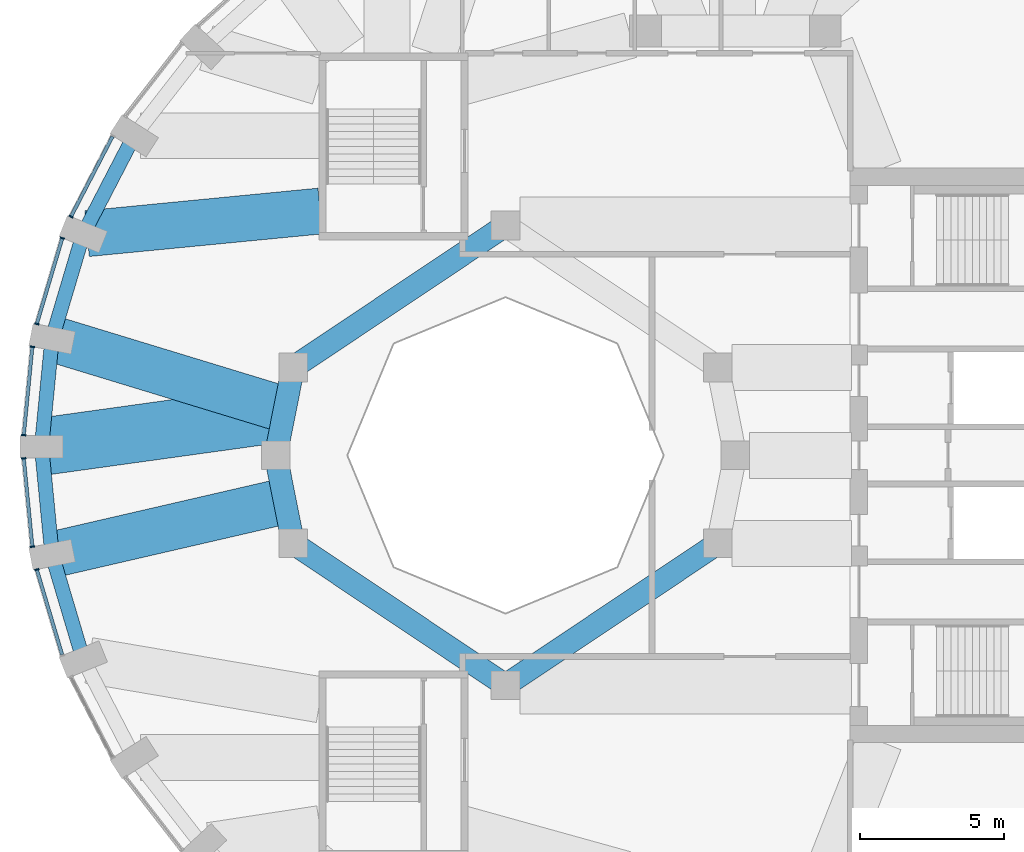
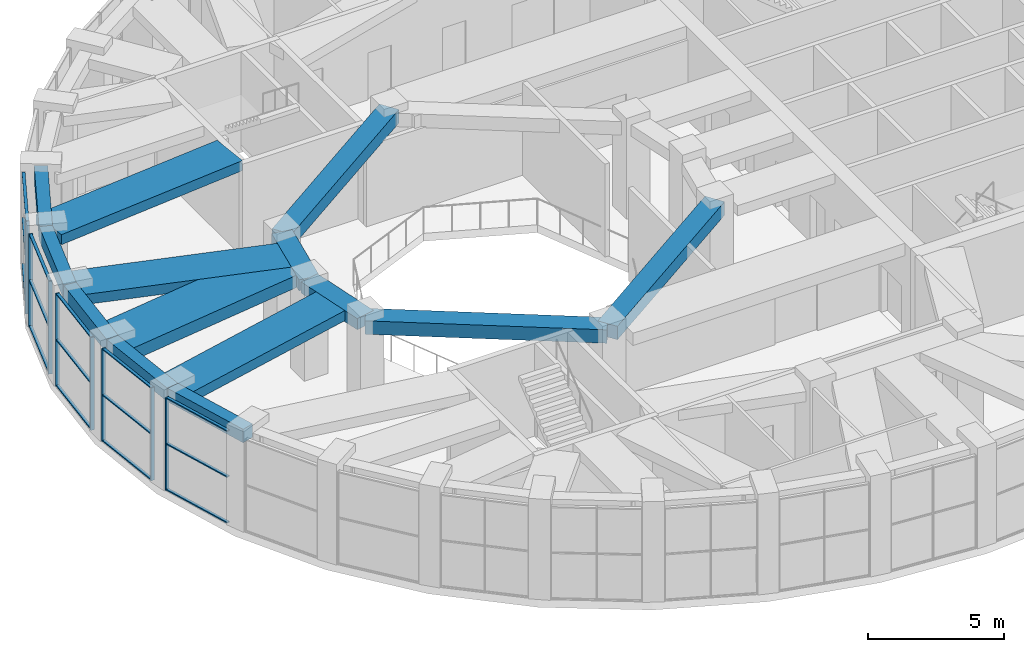
# One storey, part 4 of 17: 23 members, 14 beams, 5 elements without a shape of their own.
"""IFC4 building model written with IfcOpenShell, lengths in metres."""

from ifc_helpers import new_model, si_unit, direction, frame, origin, origin_2d, place, context, subcontext, project, spatial, rectangle, extrude, material, material_profile, profile_set, type_object, element, aggregate, save


model = new_model("IFC4")

# Units and contexts
model_context = context("Model", 3, precision=1e-05, world=origin(), true_north=direction((0.0, 1.0)))
body_context = subcontext(model_context, "Body", "Model", "MODEL_VIEW")
ifc_project = project(units=[si_unit("LENGTHUNIT", "METRE"), si_unit("AREAUNIT", "SQUARE_METRE"), si_unit("VOLUMEUNIT", "CUBIC_METRE"), si_unit("PLANEANGLEUNIT", "RADIAN"), si_unit("MASSUNIT", "GRAM", prefix="KILO")], contexts=[model_context])

# Site, building, storey
site_placement = place(None, origin())
site = spatial("IfcSite", under=ifc_project, at=site_placement, CompositionType="ELEMENT")
building_placement = place(site_placement, origin())
building = spatial("IfcBuilding", under=site, at=building_placement, Name="Taillehof Tower", CompositionType="ELEMENT")
storey_placement = place(building_placement, frame((0.0, 0.0, 259.699951171875)))
storey = spatial("IfcBuildingStorey", under=building, at=storey_placement, Name="L74", CompositionType="ELEMENT", Elevation=259.699951171875)

# Beams
ifc_material_1 = material(Name="Concrete C50/60", Category="concrete")
ifc_material_profile_1 = material_profile(ifc_material_1, rectangle(XDim=0.800048828125, YDim=0.5, at=origin_2d()), Name="RC 800x500")
ifc_profile_set_1 = profile_set([ifc_material_profile_1], Name="Concrete C50/60")
beam_type_1 = type_object("IfcBeamType", Name="Atrium ring beam C50/60 800x500", PredefinedType="BEAM", material=ifc_profile_set_1)
for number, where, z_axis, x_axis, name in (
    (1, (-15.39111328125, 3.0615234375, 3.900146484375), (-0.195063155143, -0.980790683839, 0.0), (0.980790683839, -0.195063155143, 0.0), "Atrium ring beam AB04"),
    (2, (-16.0, 0.0, 3.900146484375), (0.195063155143, -0.980790683839, 0.0), (0.980790683839, 0.195063155143, 0.0), "Atrium ring beam AB05"),
):
    element("IfcBeam", number, at=place(storey_placement, frame(where, z_axis=z_axis, x_axis=x_axis)), inside=storey, type_object=beam_type_1, Name=name, PredefinedType="BEAM", context=body_context, shape_type="SweptSolid", body=[
        extrude(rectangle(XDim=0.800048828125, YDim=0.5, at=origin_2d()), origin(), (0.0, 0.0, 1.0), 3.12158203125),
    ])
ifc_material_2 = material(Name="Concrete C50/60", Category="concrete")
ifc_material_profile_2 = material_profile(ifc_material_2, rectangle(XDim=0.800048828125, YDim=0.60009765625, at=origin_2d()), Name="RC 800x600")
ifc_profile_set_2 = profile_set([ifc_material_profile_2], Name="Concrete C50/60")
beam_type_2 = type_object("IfcBeamType", Name="Atrium ring beam C50/60 800x600", PredefinedType="BEAM", material=ifc_profile_set_2)
for number, where, z_axis, x_axis, name in (
    (3, (-8.0, 8.0, 3.85009765625), (-0.831475195687, -0.555561876804, 0.0), (0.555561876804, -0.831475195687, 0.0), "Atrium ring beam AB03"),
    (4, (-15.39111328125, -3.0615234375, 3.85009765625), (0.831475195687, -0.555561876804, 0.0), (0.555561876804, 0.831475195687, 0.0), "Atrium ring beam AB06"),
    (5, (-8.0, -8.0, 3.85009765625), (0.831475195687, 0.555561876804, 0.0), (-0.555561876804, 0.831475195687, 0.0), "Atrium ring beam AB07"),
):
    element("IfcBeam", number, at=place(storey_placement, frame(where, z_axis=z_axis, x_axis=x_axis)), inside=storey, type_object=beam_type_2, Name=name, PredefinedType="BEAM", context=body_context, shape_type="SweptSolid", body=[
        extrude(rectangle(XDim=0.800048828125, YDim=0.60009765625, at=origin_2d()), origin(), (0.0, 0.0, 1.0), 8.88916015625),
    ])

# Curtain wall, member
ifc_material_3 = material(Name="Aluminium curtain wall with Clear low-emissivity double glazing", Category="aluminium")
curtain_wall_type = type_object("IfcCurtainWallType", Name="Club lounge curtain wall", PredefinedType="USERDEFINED", material=ifc_material_3)
curtain_wall_1_placement = place(storey_placement, origin())
curtain_wall_1 = element("IfcCurtainWall", 6, at=curtain_wall_1_placement, inside=storey, type_object=curtain_wall_type, Name="Club lounge L74 bay 16", ObjectType="WINDOW WALL", PredefinedType="USERDEFINED")
ifc_material_4 = material(Name="Aluminium mullion", Category="aluminium")
ifc_material_profile_3 = material_profile(ifc_material_4, rectangle(XDim=0.159912109375, YDim=0.050048828125, at=origin_2d()), Name="AL 50x160")
ifc_profile_set_3 = profile_set([ifc_material_profile_3], Name="Aluminium mullion")
member_type_1 = type_object("IfcMemberType", Name="Club lounge mullion 50x160", PredefinedType="MULLION", material=ifc_profile_set_3)
member_1_placement = place(storey_placement, frame((-23.124267578125, 8.3125, 0.0), z_axis=(0.0, 0.0, 1.0), x_axis=(0.887975262702, -0.459891218474, 0.0)))
member_1 = element("IfcMember", 7, at=member_1_placement, type_object=member_type_1, Name="CT4E16 mullion 2", PredefinedType="MULLION", context=body_context, shape_type="SweptSolid", body=[
    extrude(rectangle(XDim=0.159912109375, YDim=0.050048828125, at=origin_2d()), origin(), (0.0, 0.0, 1.0), 4.150146484375),
])

# Curtain wall, members
curtain_wall_2_placement = place(storey_placement, origin())
curtain_wall_2 = element("IfcCurtainWall", 8, at=curtain_wall_2_placement, inside=storey, type_object=curtain_wall_type, Name="Club lounge L74 bay 17", ObjectType="WINDOW WALL", PredefinedType="USERDEFINED")
member_2_placement = place(storey_placement, frame((-23.427490234375, 7.5615234375, 0.0), z_axis=(0.0, 0.0, 1.0), x_axis=(0.958457446134, -0.285235558707, 0.0)))
member_2 = element("IfcMember", 9, at=member_2_placement, type_object=member_type_1, Name="CT4E17 mullion 1", PredefinedType="MULLION", context=body_context, shape_type="SweptSolid", body=[
    extrude(rectangle(XDim=0.159912109375, YDim=0.050048828125, at=origin_2d()), origin(), (0.0, 0.0, 1.0), 4.150146484375),
])
member_3_placement = place(storey_placement, frame((-24.31591796875, 4.575927734375, 0.0), z_axis=(0.0, 0.0, 1.0), x_axis=(0.958457446134, -0.285235558707, 0.0)))
member_3 = element("IfcMember", 10, at=member_3_placement, type_object=member_type_1, Name="CT4E17 mullion 2", PredefinedType="MULLION", context=body_context, shape_type="SweptSolid", body=[
    extrude(rectangle(XDim=0.159912109375, YDim=0.050048828125, at=origin_2d()), origin(), (0.0, 0.0, 1.0), 4.150146484375),
])

curtain_wall_3_placement = place(storey_placement, origin())
curtain_wall_3 = element("IfcCurtainWall", 11, at=curtain_wall_3_placement, inside=storey, type_object=curtain_wall_type, Name="Club lounge L74 bay 18", ObjectType="WINDOW WALL", PredefinedType="USERDEFINED")
member_4_placement = place(storey_placement, frame((-24.471435546875, 3.781005859375, 0.0), z_axis=(0.0, 0.0, 1.0), x_axis=(0.995312250248, -0.0967136211, 0.0)))
member_4 = element("IfcMember", 12, at=member_4_placement, type_object=member_type_1, Name="CT4E18 mullion 1", PredefinedType="MULLION", context=body_context, shape_type="SweptSolid", body=[
    extrude(rectangle(XDim=0.159912109375, YDim=0.050048828125, at=origin_2d()), origin(), (0.0, 0.0, 1.0), 4.150146484375),
])
member_5_placement = place(storey_placement, frame((-24.770263671875, 0.705078125, 0.0), z_axis=(0.0, 0.0, 1.0), x_axis=(0.995312250248, -0.0967136211, 0.0)))
member_5 = element("IfcMember", 13, at=member_5_placement, type_object=member_type_1, Name="CT4E18 mullion 2", PredefinedType="MULLION", context=body_context, shape_type="SweptSolid", body=[
    extrude(rectangle(XDim=0.159912109375, YDim=0.050048828125, at=origin_2d()), origin(), (0.0, 0.0, 1.0), 4.150146484375),
])

curtain_wall_4_placement = place(storey_placement, origin())
curtain_wall_4 = element("IfcCurtainWall", 14, at=curtain_wall_4_placement, inside=storey, type_object=curtain_wall_type, Name="Club lounge L74 bay 19", ObjectType="WINDOW WALL", PredefinedType="USERDEFINED")
member_6_placement = place(storey_placement, frame((-24.770263671875, -0.10498046875, 0.0), z_axis=(0.0, 0.0, 1.0), x_axis=(0.995312250248, 0.0967136211, 0.0)))
member_6 = element("IfcMember", 15, at=member_6_placement, type_object=member_type_1, Name="CT4E19 mullion 1", PredefinedType="MULLION", context=body_context, shape_type="SweptSolid", body=[
    extrude(rectangle(XDim=0.159912109375, YDim=0.050048828125, at=origin_2d()), origin(), (0.0, 0.0, 1.0), 4.150146484375),
])
member_7_placement = place(storey_placement, frame((-24.471435546875, -3.180908203125, 0.0), z_axis=(0.0, 0.0, 1.0), x_axis=(0.995312250248, 0.0967136211, 0.0)))
member_7 = element("IfcMember", 16, at=member_7_placement, type_object=member_type_1, Name="CT4E19 mullion 2", PredefinedType="MULLION", context=body_context, shape_type="SweptSolid", body=[
    extrude(rectangle(XDim=0.159912109375, YDim=0.050048828125, at=origin_2d()), origin(), (0.0, 0.0, 1.0), 4.150146484375),
])

# Curtain wall, member
curtain_wall_5_placement = place(storey_placement, origin())
curtain_wall_5 = element("IfcCurtainWall", 17, at=curtain_wall_5_placement, inside=storey, type_object=curtain_wall_type, Name="Club lounge L74 bay 20", ObjectType="WINDOW WALL", PredefinedType="USERDEFINED")
member_8_placement = place(storey_placement, frame((-24.31591796875, -3.975830078125, 0.0), z_axis=(0.0, 0.0, 1.0), x_axis=(0.958457446134, 0.285235558707, 0.0)))
member_8 = element("IfcMember", 18, at=member_8_placement, type_object=member_type_1, Name="CT4E20 mullion 1", PredefinedType="MULLION", context=body_context, shape_type="SweptSolid", body=[
    extrude(rectangle(XDim=0.159912109375, YDim=0.050048828125, at=origin_2d()), origin(), (0.0, 0.0, 1.0), 4.150146484375),
])

# Member
ifc_material_5 = material(Name="Aluminium transom", Category="aluminium")
ifc_material_profile_4 = material_profile(ifc_material_5, rectangle(XDim=0.1201171875, YDim=0.050048828125, at=origin_2d()), Name="AL 120x50")
ifc_profile_set_4 = profile_set([ifc_material_profile_4], Name="Aluminium transom")
member_type_2 = type_object("IfcMemberType", Name="Club lounge transom 120x50", PredefinedType="USERDEFINED", material=ifc_profile_set_4)
member_9_placement = place(storey_placement, frame((-21.68212890625, 11.096923828125, 0.025146484375), z_axis=(-0.459913923369, -0.887963503243, 0.0), x_axis=(0.887963503243, -0.459913923369, 0.0)))
member_9 = element("IfcMember", 19, at=member_9_placement, type_object=member_type_2, Name="CT4E16 transom 1.1", ObjectType="TRANSOM", PredefinedType="USERDEFINED", context=body_context, shape_type="SweptSolid", body=[
    extrude(rectangle(XDim=0.1201171875, YDim=0.050048828125, at=origin_2d()), origin(), (0.0, 0.0, 1.0), 3.11083984375),
])

member_10_placement = place(storey_placement, frame((-21.68212890625, 11.096923828125, 2.074951171875), z_axis=(-0.459913923369, -0.887963503243, 0.0), x_axis=(0.887963503243, -0.459913923369, 0.0)))
member_10 = element("IfcMember", 20, at=member_10_placement, type_object=member_type_2, Name="CT4E16 transom 1.2", ObjectType="TRANSOM", PredefinedType="USERDEFINED", context=body_context, shape_type="SweptSolid", body=[
    extrude(rectangle(XDim=0.1201171875, YDim=0.050048828125, at=origin_2d()), origin(), (0.0, 0.0, 1.0), 3.11083984375),
])

member_11_placement = place(storey_placement, frame((-21.68212890625, 11.096923828125, 4.125), z_axis=(-0.459913923369, -0.887963503243, 0.0), x_axis=(0.887963503243, -0.459913923369, 0.0)))
member_11 = element("IfcMember", 21, at=member_11_placement, type_object=member_type_2, Name="CT4E16 transom 1.3", ObjectType="TRANSOM", PredefinedType="USERDEFINED", context=body_context, shape_type="SweptSolid", body=[
    extrude(rectangle(XDim=0.1201171875, YDim=0.050048828125, at=origin_2d()), origin(), (0.0, 0.0, 1.0), 3.11083984375),
])

aggregate(curtain_wall_1, [member_1, member_9, member_10, member_11])

member_12_placement = place(storey_placement, frame((-23.4345703125, 7.537353515625, 0.025146484375), z_axis=(-0.285257079378, -0.95845104135, 0.0), x_axis=(0.95845104135, -0.285257079378, 0.0)))
member_12 = element("IfcMember", 22, at=member_12_placement, type_object=member_type_2, Name="CT4E17 transom 1.1", ObjectType="TRANSOM", PredefinedType="USERDEFINED", context=body_context, shape_type="SweptSolid", body=[
    extrude(rectangle(XDim=0.1201171875, YDim=0.050048828125, at=origin_2d()), origin(), (0.0, 0.0, 1.0), 3.06494140625),
])

member_13_placement = place(storey_placement, frame((-23.4345703125, 7.537353515625, 2.074951171875), z_axis=(-0.285257079378, -0.95845104135, 0.0), x_axis=(0.95845104135, -0.285257079378, 0.0)))
member_13 = element("IfcMember", 23, at=member_13_placement, type_object=member_type_2, Name="CT4E17 transom 1.2", ObjectType="TRANSOM", PredefinedType="USERDEFINED", context=body_context, shape_type="SweptSolid", body=[
    extrude(rectangle(XDim=0.1201171875, YDim=0.050048828125, at=origin_2d()), origin(), (0.0, 0.0, 1.0), 3.06494140625),
])

member_14_placement = place(storey_placement, frame((-23.4345703125, 7.537353515625, 4.125), z_axis=(-0.285257079378, -0.95845104135, 0.0), x_axis=(0.95845104135, -0.285257079378, 0.0)))
member_14 = element("IfcMember", 24, at=member_14_placement, type_object=member_type_2, Name="CT4E17 transom 1.3", ObjectType="TRANSOM", PredefinedType="USERDEFINED", context=body_context, shape_type="SweptSolid", body=[
    extrude(rectangle(XDim=0.1201171875, YDim=0.050048828125, at=origin_2d()), origin(), (0.0, 0.0, 1.0), 3.06494140625),
])

aggregate(curtain_wall_2, [member_2, member_3, member_12, member_13, member_14])

member_15_placement = place(storey_placement, frame((-24.473876953125, 3.756103515625, 0.025146484375), z_axis=(-0.096680901698, -0.995315429021, 0.0), x_axis=(0.995315429021, -0.096680901698, 0.0)))
member_15 = element("IfcMember", 25, at=member_15_placement, type_object=member_type_2, Name="CT4E18 transom 1.1", ObjectType="TRANSOM", PredefinedType="USERDEFINED", context=body_context, shape_type="SweptSolid", body=[
    extrude(rectangle(XDim=0.1201171875, YDim=0.050048828125, at=origin_2d()), origin(), (0.0, 0.0, 1.0), 3.040283203125),
])

member_16_placement = place(storey_placement, frame((-24.473876953125, 3.756103515625, 2.074951171875), z_axis=(-0.096680901698, -0.995315429021, 0.0), x_axis=(0.995315429021, -0.096680901698, 0.0)))
member_16 = element("IfcMember", 26, at=member_16_placement, type_object=member_type_2, Name="CT4E18 transom 1.2", ObjectType="TRANSOM", PredefinedType="USERDEFINED", context=body_context, shape_type="SweptSolid", body=[
    extrude(rectangle(XDim=0.1201171875, YDim=0.050048828125, at=origin_2d()), origin(), (0.0, 0.0, 1.0), 3.040283203125),
])

member_17_placement = place(storey_placement, frame((-24.473876953125, 3.756103515625, 4.125), z_axis=(-0.096680901698, -0.995315429021, 0.0), x_axis=(0.995315429021, -0.096680901698, 0.0)))
member_17 = element("IfcMember", 27, at=member_17_placement, type_object=member_type_2, Name="CT4E18 transom 1.3", ObjectType="TRANSOM", PredefinedType="USERDEFINED", context=body_context, shape_type="SweptSolid", body=[
    extrude(rectangle(XDim=0.1201171875, YDim=0.050048828125, at=origin_2d()), origin(), (0.0, 0.0, 1.0), 3.040283203125),
])

aggregate(curtain_wall_3, [member_4, member_5, member_15, member_16, member_17])

member_18_placement = place(storey_placement, frame((-24.767822265625, -0.1298828125, 0.025146484375), z_axis=(0.096680901698, -0.995315429021, 0.0), x_axis=(0.995315429021, 0.096680901698, 0.0)))
member_18 = element("IfcMember", 28, at=member_18_placement, type_object=member_type_2, Name="CT4E19 transom 1.1", ObjectType="TRANSOM", PredefinedType="USERDEFINED", context=body_context, shape_type="SweptSolid", body=[
    extrude(rectangle(XDim=0.1201171875, YDim=0.050048828125, at=origin_2d()), origin(), (0.0, 0.0, 1.0), 3.040283203125),
])

member_19_placement = place(storey_placement, frame((-24.767822265625, -0.1298828125, 2.074951171875), z_axis=(0.096680901698, -0.995315429021, 0.0), x_axis=(0.995315429021, 0.096680901698, 0.0)))
member_19 = element("IfcMember", 29, at=member_19_placement, type_object=member_type_2, Name="CT4E19 transom 1.2", ObjectType="TRANSOM", PredefinedType="USERDEFINED", context=body_context, shape_type="SweptSolid", body=[
    extrude(rectangle(XDim=0.1201171875, YDim=0.050048828125, at=origin_2d()), origin(), (0.0, 0.0, 1.0), 3.040283203125),
])

member_20_placement = place(storey_placement, frame((-24.767822265625, -0.1298828125, 4.125), z_axis=(0.096680901698, -0.995315429021, 0.0), x_axis=(0.995315429021, 0.096680901698, 0.0)))
member_20 = element("IfcMember", 30, at=member_20_placement, type_object=member_type_2, Name="CT4E19 transom 1.3", ObjectType="TRANSOM", PredefinedType="USERDEFINED", context=body_context, shape_type="SweptSolid", body=[
    extrude(rectangle(XDim=0.1201171875, YDim=0.050048828125, at=origin_2d()), origin(), (0.0, 0.0, 1.0), 3.040283203125),
])

aggregate(curtain_wall_4, [member_6, member_7, member_18, member_19, member_20])

member_21_placement = place(storey_placement, frame((-24.308837890625, -3.999755859375, 0.025146484375), z_axis=(0.28523530194, -0.958457522547, 0.0), x_axis=(0.958457522547, 0.28523530194, 0.0)))
member_21 = element("IfcMember", 31, at=member_21_placement, type_object=member_type_2, Name="CT4E20 transom 1.1", ObjectType="TRANSOM", PredefinedType="USERDEFINED", context=body_context, shape_type="SweptSolid", body=[
    extrude(rectangle(XDim=0.1201171875, YDim=0.050048828125, at=origin_2d()), origin(), (0.0, 0.0, 1.0), 3.065185546875),
])

member_22_placement = place(storey_placement, frame((-24.308837890625, -3.999755859375, 2.074951171875), z_axis=(0.28523530194, -0.958457522547, 0.0), x_axis=(0.958457522547, 0.28523530194, 0.0)))
member_22 = element("IfcMember", 32, at=member_22_placement, type_object=member_type_2, Name="CT4E20 transom 1.2", ObjectType="TRANSOM", PredefinedType="USERDEFINED", context=body_context, shape_type="SweptSolid", body=[
    extrude(rectangle(XDim=0.1201171875, YDim=0.050048828125, at=origin_2d()), origin(), (0.0, 0.0, 1.0), 3.065185546875),
])

member_23_placement = place(storey_placement, frame((-24.308837890625, -3.999755859375, 4.125), z_axis=(0.28523530194, -0.958457522547, 0.0), x_axis=(0.958457522547, 0.28523530194, 0.0)))
member_23 = element("IfcMember", 33, at=member_23_placement, type_object=member_type_2, Name="CT4E20 transom 1.3", ObjectType="TRANSOM", PredefinedType="USERDEFINED", context=body_context, shape_type="SweptSolid", body=[
    extrude(rectangle(XDim=0.1201171875, YDim=0.050048828125, at=origin_2d()), origin(), (0.0, 0.0, 1.0), 3.065185546875),
])

aggregate(curtain_wall_5, [member_8, member_21, member_22, member_23])

# Beams
ifc_material_6 = material(Name="Concrete C50/60", Category="concrete")
ifc_material_profile_5 = material_profile(ifc_material_6, rectangle(XDim=1.60009765625, YDim=0.449951171875, at=origin_2d()), Name="RC 1600x450")
ifc_profile_set_5 = profile_set([ifc_material_profile_5], Name="Concrete C50/60")
beam_type_3 = type_object("IfcBeamType", Name="Radial band beam C50/60 1600x450", PredefinedType="BEAM", material=ifc_profile_set_5)
beam_1_placement = place(storey_placement, frame((-22.564697265625, 7.7177734375, 3.925048828125), z_axis=(0.995328408647, 0.096547185049, 0.0), x_axis=(-0.096547185049, 0.995328408647, 0.0)))
element("IfcBeam", 34, at=beam_1_placement, inside=storey, type_object=beam_type_3, Name="Radial band beam RB17", PredefinedType="BEAM", context=body_context, shape_type="SweptSolid", body=[
    extrude(rectangle(XDim=1.60009765625, YDim=0.449951171875, at=origin_2d()), origin(), (0.0, 0.0, 1.0), 8.152587890625),
])
beam_2_placement = place(storey_placement, frame((-23.78466796875, 4.0595703125, 3.925048828125), z_axis=(0.956552302924, -0.291560785721, 0.0), x_axis=(0.291560785721, 0.956552302924, 0.0)))
element("IfcBeam", 35, at=beam_2_placement, inside=storey, type_object=beam_type_3, Name="Radial band beam RB18", PredefinedType="BEAM", context=body_context, shape_type="SweptSolid", body=[
    extrude(rectangle(XDim=1.60009765625, YDim=0.449951171875, at=origin_2d()), origin(), (0.0, 0.0, 1.0), 8.468994140625),
])
beam_3_placement = place(storey_placement, frame((-23.78466796875, -3.45947265625, 3.925048828125), z_axis=(0.974400103511, 0.224820902672, 0.0), x_axis=(-0.224820902672, 0.974400103511, 0.0)))
element("IfcBeam", 36, at=beam_3_placement, inside=storey, type_object=beam_type_3, Name="Radial band beam RB20", PredefinedType="BEAM", context=body_context, shape_type="SweptSolid", body=[
    extrude(rectangle(XDim=1.60009765625, YDim=0.449951171875, at=origin_2d()), origin(), (0.0, 0.0, 1.0), 8.31396484375),
])
ifc_material_7 = material(Name="Concrete C50/60", Category="concrete")
ifc_material_profile_6 = material_profile(ifc_material_7, rectangle(XDim=2.0, YDim=0.550048828125, at=origin_2d()), Name="RC 2000x550")
ifc_profile_set_6 = profile_set([ifc_material_profile_6], Name="Concrete C50/60")
beam_type_4 = type_object("IfcBeamType", Name="Radial band beam C50/60 2000x550", PredefinedType="BEAM", material=ifc_profile_set_6)
beam_4_placement = place(storey_placement, frame((-24.14990234375, 0.300048828125, 3.875), z_axis=(0.990515351696, 0.137402103528, 0.0), x_axis=(-0.137402103528, 0.990515351696, 0.0)))
element("IfcBeam", 37, at=beam_4_placement, inside=storey, type_object=beam_type_4, Name="Radial band beam RB19", PredefinedType="BEAM", context=body_context, shape_type="SweptSolid", body=[
    extrude(rectangle(XDim=2.0, YDim=0.550048828125, at=origin_2d()), origin(), (0.0, 0.0, 1.0), 8.5234375),
])
ifc_material_8 = material(Name="Concrete C50/60", Category="concrete")
ifc_material_profile_7 = material_profile(ifc_material_8, rectangle(XDim=0.5, YDim=0.60009765625, at=origin_2d()), Name="RC 500x600")
ifc_profile_set_7 = profile_set([ifc_material_profile_7], Name="Concrete C50/60")
beam_type_5 = type_object("IfcBeamType", Name="Spandrel beam C50/60 500x600", PredefinedType="SPANDREL", material=ifc_profile_set_7)
beam_5_placement = place(storey_placement, frame((-20.927978515625, 11.125, 3.85009765625), z_axis=(-0.459971160554, -0.88793385534, 0.0), x_axis=(0.88793385534, -0.459971160554, 0.0)))
element("IfcBeam", 38, at=beam_5_placement, inside=storey, type_object=beam_type_5, Name="Spandrel beam SB16", PredefinedType="SPANDREL", context=body_context, shape_type="SweptSolid", body=[
    extrude(rectangle(XDim=0.5, YDim=0.60009765625, at=origin_2d()), origin(), (0.0, 0.0, 1.0), 3.851806640625),
])
beam_6_placement = place(storey_placement, frame((-22.69970703125, 7.704833984375, 3.85009765625), z_axis=(-0.285268336874, -0.958447690788, 0.0), x_axis=(0.958447690788, -0.285268336874, 0.0)))
element("IfcBeam", 39, at=beam_6_placement, inside=storey, type_object=beam_type_5, Name="Spandrel beam SB17", PredefinedType="SPANDREL", context=body_context, shape_type="SweptSolid", body=[
    extrude(rectangle(XDim=0.5, YDim=0.60009765625, at=origin_2d()), origin(), (0.0, 0.0, 1.0), 3.80322265625),
])
for number, where, z_axis, x_axis, name in (
    (40, (-23.78466796875, 4.0595703125, 3.85009765625), (-0.096693940319, -0.995314162416, 0.0), (0.995314162416, -0.096693940319, 0.0), "Spandrel beam SB18"),
    (41, (-24.14990234375, 0.300048828125, 3.85009765625), (0.096693940319, -0.995314162416, 0.0), (0.995314162416, 0.096693940319, 0.0), "Spandrel beam SB19"),
):
    element("IfcBeam", number, at=place(storey_placement, frame(where, z_axis=z_axis, x_axis=x_axis)), inside=storey, type_object=beam_type_5, Name=name, PredefinedType="SPANDREL", context=body_context, shape_type="SweptSolid", body=[
        extrude(rectangle(XDim=0.5, YDim=0.60009765625, at=origin_2d()), origin(), (0.0, 0.0, 1.0), 3.777099609375),
    ])
beam_7_placement = place(storey_placement, frame((-23.78466796875, -3.45947265625, 3.85009765625), z_axis=(0.285268336874, -0.958447690788, 0.0), x_axis=(0.958447690788, 0.285268336874, 0.0)))
element("IfcBeam", 42, at=beam_7_placement, inside=storey, type_object=beam_type_5, Name="Spandrel beam SB20", PredefinedType="SPANDREL", context=body_context, shape_type="SweptSolid", body=[
    extrude(rectangle(XDim=0.5, YDim=0.60009765625, at=origin_2d()), origin(), (0.0, 0.0, 1.0), 3.80322265625),
])

save(model, "model.ifc")
